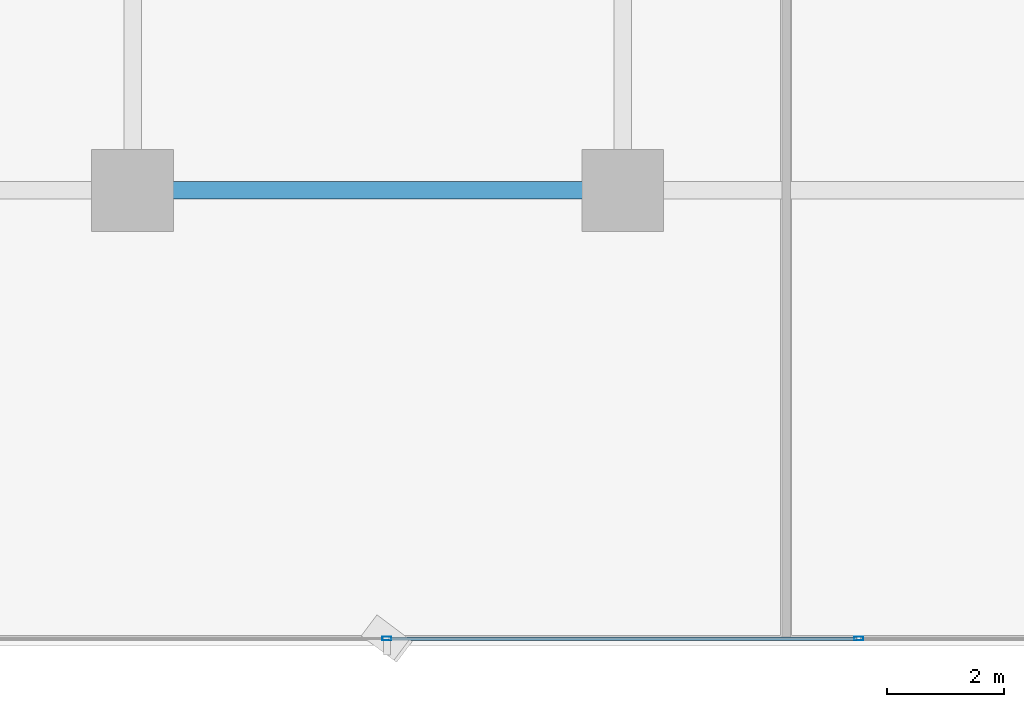
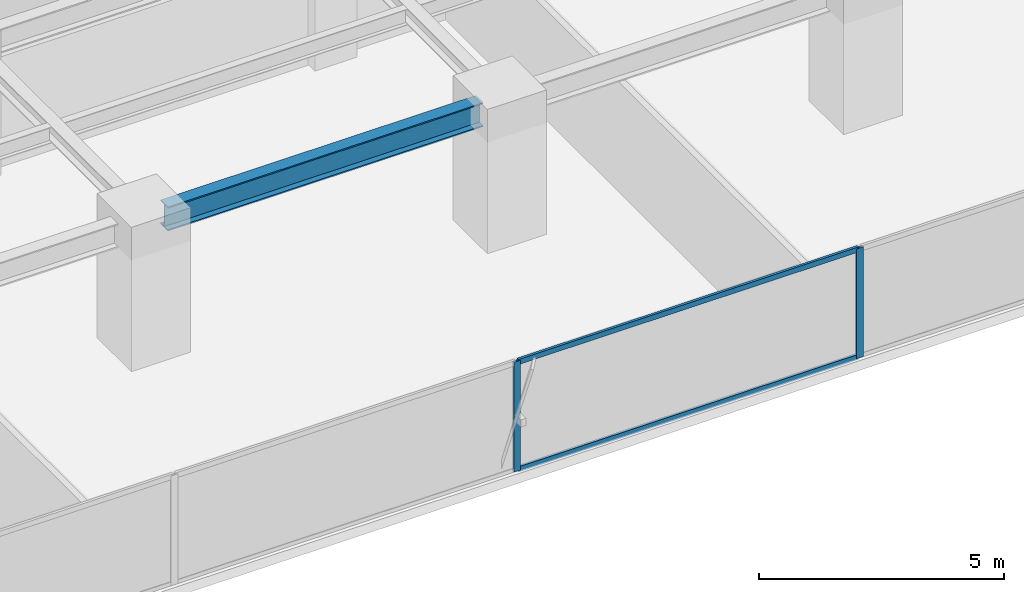
# One storey, part 6 of 37: 4 members, 1 beam, 1 element without a shape of its own.
"""IFC4 building model written with IfcOpenShell, lengths in metres."""

from ifc_helpers import new_model, si_unit, direction, frame, origin, origin_2d, place, context, subcontext, project, spatial, hollow_rectangle, i_section, extrude, source, transform, mapped, material, layer, layer_set, material_profile, profile_set, type_object, element, aggregate, save


model = new_model("IFC4")

# Units and contexts
model_context = context("Model", 3, precision=1e-05, world=origin(), true_north=direction((0.0, 1.0)))
body_context = subcontext(model_context, "Body", "Model", "MODEL_VIEW")
ifc_project = project(units=[si_unit("LENGTHUNIT", "METRE"), si_unit("AREAUNIT", "SQUARE_METRE"), si_unit("VOLUMEUNIT", "CUBIC_METRE"), si_unit("PLANEANGLEUNIT", "RADIAN"), si_unit("MASSUNIT", "GRAM", prefix="KILO")], contexts=[model_context])

# Site, building, storey
site_placement = place(None, origin())
site = spatial("IfcSite", under=ifc_project, at=site_placement, CompositionType="ELEMENT")
building_placement = place(site_placement, origin())
building = spatial("IfcBuilding", under=site, at=building_placement, Name="Sumidabori Civic Tower", CompositionType="ELEMENT")
storey_placement = place(building_placement, frame((0.0, 0.0, 95.60009765625)))
storey = spatial("IfcBuildingStorey", under=building, at=storey_placement, Name="L24", CompositionType="ELEMENT", Elevation=95.60009765625)

# Beam
ifc_material_1 = material(Name="Steel SN490", Category="steel")
ifc_material_profile_1 = material_profile(ifc_material_1, i_section(OverallWidth=0.300048828125, OverallDepth=0.60009765625, WebThickness=0.015380859375, FlangeThickness=0.030029296875, at=origin_2d()), Name="HE 600 B")
ifc_profile_set_1 = profile_set([ifc_material_profile_1], Name="Steel SN490")
beam_type = type_object("IfcBeamType", Name="BM-GIRD-600", PredefinedType="BEAM", material=ifc_profile_set_1)
shared_shape_1 = source(origin(), body_context, "Body", "SweptSolid", [
    extrude(i_section(OverallWidth=0.300048828125, OverallDepth=0.60009765625, WebThickness=0.015380859375, FlangeThickness=0.030029296875, at=origin_2d()), origin(), (0.0, 0.0, 1.0), 7.43994140625),
])
beam_placement = place(storey_placement, frame((-7.919921875, -18.0, 3.059814453125), z_axis=(1.0, 0.0, 0.0), x_axis=(0.0, 1.0, 0.0)))
element("IfcBeam", 1, at=beam_placement, inside=storey, type_object=beam_type, Name="Primary Girder L24 GX-03", PredefinedType="BEAM", context=body_context, shape_type="MappedRepresentation", body=[
    mapped(shared_shape_1, transform((0.0, 0.0, 0.0), x_axis=(1.0, 0.0, 0.0), y_axis=(0.0, 1.0, 0.0), z_axis=(0.0, 0.0, 1.0), scale=1.0)),
])

# Curtain wall, members
ifc_material_2 = material(Name="Anodised Bronze Aluminium AW-6063-T6", Category="aluminium")
ifc_layer = layer(ifc_material_2, 0.179931640625, Name="Anodised Bronze Aluminium AW-6063-T6")
ifc_layer_set = layer_set([ifc_layer], Name="Anodised Bronze Aluminium AW-6063-T6")
curtain_wall_type = type_object("IfcCurtainWallType", Name="CW-SYS-3", PredefinedType="NOTDEFINED", material=ifc_layer_set)
curtain_wall_placement = place(storey_placement, origin())
curtain_wall = element("IfcCurtainWall", 2, at=curtain_wall_placement, inside=storey, type_object=curtain_wall_type, Name="Curtain Wall CW:L24:R01", PredefinedType="NOTDEFINED")
ifc_material_profile_2 = material_profile(ifc_material_2, hollow_rectangle(XDim=0.06494140625, YDim=0.159912109375, WallThickness=0.0048828125, at=origin_2d()), Name="ALU MULLION 160x65")
ifc_profile_set_2 = profile_set([ifc_material_profile_2], Name="Anodised Bronze Aluminium AW-6063-T6")
member_type_1 = type_object("IfcMemberType", Name="CW-MUL-160", PredefinedType="MULLION", material=ifc_profile_set_2)
shared_shape_2 = source(origin(), body_context, "Body", "SweptSolid", [
    extrude(hollow_rectangle(XDim=0.06494140625, YDim=0.159912109375, WallThickness=0.0048828125, at=origin_2d()), origin(), (0.0, 0.0, 1.0), 2.739990234375),
])
member_1_placement = place(storey_placement, frame((-4.0439453125, -25.679931640625, 0.0), z_axis=(0.0, 0.0, 1.0), x_axis=(0.0, 1.0, 0.0)))
member_1 = element("IfcMember", 3, at=member_1_placement, type_object=member_type_1, Name="CW-3 mullion 3", PredefinedType="MULLION", context=body_context, shape_type="MappedRepresentation", body=[
    mapped(shared_shape_2, transform((0.0, 0.0, 0.0), x_axis=(1.0, 0.0, 0.0), y_axis=(0.0, 1.0, 0.0), z_axis=(0.0, 0.0, 1.0), scale=1.0)),
])
member_2_placement = place(storey_placement, frame((4.0439453125, -25.679931640625, 0.0), z_axis=(0.0, 0.0, 1.0), x_axis=(0.0, 1.0, 0.0)))
member_2 = element("IfcMember", 4, at=member_2_placement, type_object=member_type_1, Name="CW-3 mullion 4", PredefinedType="MULLION", context=body_context, shape_type="MappedRepresentation", body=[
    mapped(shared_shape_2, transform((0.0, 0.0, 0.0), x_axis=(1.0, 0.0, 0.0), y_axis=(0.0, 1.0, 0.0), z_axis=(0.0, 0.0, 1.0), scale=1.0)),
])
ifc_material_profile_3 = material_profile(ifc_material_2, hollow_rectangle(XDim=0.06005859375, YDim=0.1298828125, WallThickness=0.0048828125, at=origin_2d()), Name="ALU TRANSOM 130x60")
ifc_profile_set_3 = profile_set([ifc_material_profile_3], Name="Anodised Bronze Aluminium AW-6063-T6")
member_type_2 = type_object("IfcMemberType", Name="CW-TRN-130", PredefinedType="USERDEFINED", material=ifc_profile_set_3)
shared_shape_3 = source(origin(), body_context, "Body", "SweptSolid", [
    extrude(hollow_rectangle(XDim=0.06005859375, YDim=0.1298828125, WallThickness=0.0048828125, at=origin_2d()), origin(), (0.0, 0.0, 1.0), 8.02294921875),
])
member_3_placement = place(storey_placement, frame((-4.011474609375, -25.679931640625, 0.02978515625), z_axis=(1.0, 0.0, 0.0), x_axis=(0.0, 1.0, 0.0)))
member_3 = element("IfcMember", 5, at=member_3_placement, type_object=member_type_2, Name="CW-3 transom 3.1", ObjectType="TRANSOM", PredefinedType="USERDEFINED", context=body_context, shape_type="MappedRepresentation", body=[
    mapped(shared_shape_3, transform((0.0, 0.0, 0.0), x_axis=(1.0, 0.0, 0.0), y_axis=(0.0, 1.0, 0.0), z_axis=(0.0, 0.0, 1.0), scale=1.0)),
])
member_4_placement = place(storey_placement, frame((-4.011474609375, -25.679931640625, 2.7099609375), z_axis=(1.0, 0.0, 0.0), x_axis=(0.0, 1.0, 0.0)))
member_4 = element("IfcMember", 6, at=member_4_placement, type_object=member_type_2, Name="CW-3 transom 3.2", ObjectType="TRANSOM", PredefinedType="USERDEFINED", context=body_context, shape_type="MappedRepresentation", body=[
    mapped(shared_shape_3, transform((0.0, 0.0, 0.0), x_axis=(1.0, 0.0, 0.0), y_axis=(0.0, 1.0, 0.0), z_axis=(0.0, 0.0, 1.0), scale=1.0)),
])
aggregate(curtain_wall, [member_1, member_2, member_3, member_4])

save(model, "model.ifc")
